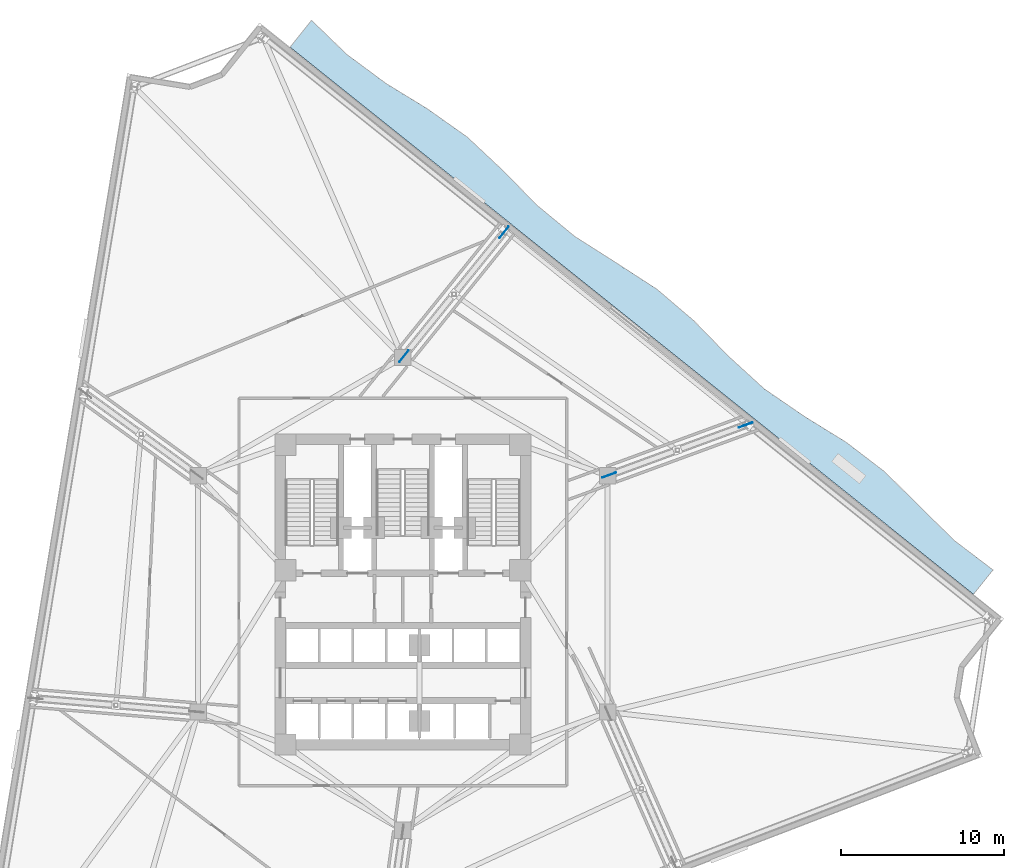
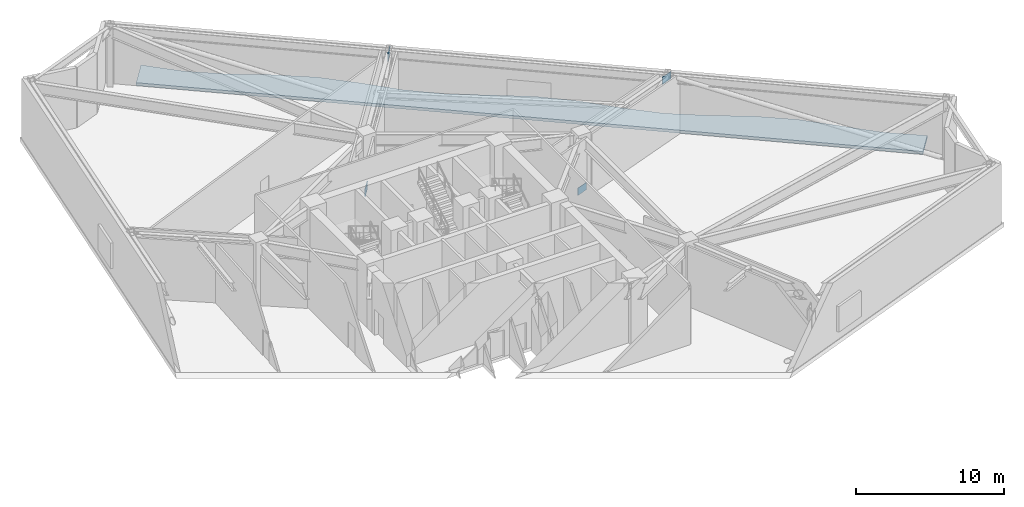
# One storey, part 10 of 18: 4 plates, 1 slab.
"""IFC4 building model written with IfcOpenShell, lengths in metres."""

from ifc_helpers import new_model, si_unit, direction, frame, origin, origin_2d, place, context, subcontext, project, spatial, polyline, rectangle, outline, extrude, material, layer, layer_set, type_object, element, save


model = new_model("IFC4")

# Units and contexts
model_context = context("Model", 3, precision=1e-05, world=origin(), true_north=direction((0.0, 1.0)))
body_context = subcontext(model_context, "Body", "Model", "MODEL_VIEW")
ifc_project = project(units=[si_unit("LENGTHUNIT", "METRE"), si_unit("AREAUNIT", "SQUARE_METRE"), si_unit("VOLUMEUNIT", "CUBIC_METRE"), si_unit("PLANEANGLEUNIT", "RADIAN"), si_unit("MASSUNIT", "GRAM", prefix="KILO")], contexts=[model_context])

# Site, building, storey
site_placement = place(None, origin())
site = spatial("IfcSite", under=ifc_project, at=site_placement, CompositionType="ELEMENT")
building_placement = place(site_placement, origin())
building = spatial("IfcBuilding", under=site, at=building_placement, Name="Apsidion Concourse Tower", CompositionType="ELEMENT")
storey_placement = place(building_placement, frame((0.0, 0.0, 127.0)))
storey = spatial("IfcBuildingStorey", under=building, at=storey_placement, Name="L29", CompositionType="ELEMENT", Elevation=127.0)

# Plates
ifc_material_1 = material(Name="Structural steel ASTM A572 Grade 50", Category="steel")
ifc_layer_1 = layer(ifc_material_1, 0.0400390625)
ifc_layer_set_1 = layer_set([ifc_layer_1], Name="Structural steel ASTM A572 Grade 50")
plate_type = type_object("IfcPlateType", Name="PL-GUSSET-40", PredefinedType="SHEET", material=ifc_layer_set_1)
for number, where, z_axis, x_axis, name in (
    (1, (12.65380859375, 7.284423828125, 0.02001953125), (0.0, 0.0, 1.0), (0.938854103536, 0.344315222252, 0.0), "L29 Outrigger Inner Node Gusset Plate ONA-03"),
    (2, (21.018310546875, 10.352294921875, 4.369873046875), (0.0, 0.0, 1.0), (0.938854103536, 0.344315222252, 0.0), "L29 Outrigger Outer Node Gusset Plate ONB-03"),
    (3, (0.06298828125, 14.577880859375, 0.02001953125), (0.0, 0.0, 1.0), (0.628641963719, 0.777694851116, 0.0), "L29 Outrigger Inner Node Gusset Plate ONA-04"),
    (4, (6.210693359375, 22.184326171875, 4.369873046875), (0.0, 0.0, 1.0), (0.628641963719, 0.777694851116, 0.0), "L29 Outrigger Outer Node Gusset Plate ONB-04"),
):
    element("IfcPlate", number, at=place(storey_placement, frame(where, z_axis=z_axis, x_axis=x_axis)), inside=storey, type_object=plate_type, Name=name, PredefinedType="SHEET", context=body_context, shape_type="SweptSolid", body=[
        extrude(rectangle(XDim=0.89990234375, YDim=0.0400390625, at=origin_2d()), origin(), (0.0, 0.0, 1.0), 0.60009765625),
    ])

# Slab
ifc_material_2 = material(Name="Concrete C50/60", Category="concrete")
ifc_layer_2 = layer(ifc_material_2, 0.239990234375)
ifc_layer_set_2 = layer_set([ifc_layer_2], Name="Concrete C50/60")
slab_type = type_object("IfcSlabType", Name="SL-TERR-240", PredefinedType="ROOF", material=ifc_layer_set_2)
slab_placement = place(storey_placement, frame((0.0, 0.0, -0.239990234375)))
element("IfcSlab", 5, at=slab_placement, inside=storey, type_object=slab_type, Name="L29 Face 3 Spiral Sky-Terrace Slab", PredefinedType="ROOF", context=body_context, shape_type="SweptSolid", body=[
    extrude(outline(polyline([(34.997314453125, -0.025634765625), (32.668701171875, 1.83837890625), (30.33984375, 3.70263671875), (28.01123046875, 5.56689453125), (25.6826171875, 7.430908203125), (23.353759765625, 9.295166015625), (21.025146484375, 11.159423828125), (18.6962890625, 13.023681640625), (16.36767578125, 14.8876953125), (14.0390625, 16.751953125), (11.71044921875, 18.6162109375), (9.381591796875, 20.480224609375), (7.052978515625, 22.344482421875), (4.724365234375, 24.208740234375), (2.3955078125, 26.072998046875), (0.06689453125, 27.93701171875), (-2.26171875, 29.80126953125), (-4.590576171875, 31.665283203125), (-6.919189453125, 33.529541015625), (-5.60107421875, 35.17626953125), (-3.449951171875, 33.090087890625), (-1.05078125, 31.314208984375), (1.510498046875, 29.740478515625), (3.949462890625, 28.013916015625), (6.131591796875, 25.966552734375), (8.235595703125, 23.822021484375), (10.53662109375, 21.923095703125), (13.068115234375, 20.312255859375), (15.58251953125, 18.6796875), (17.8525390625, 16.742431640625), (19.9501953125, 14.589599609375), (22.15771484375, 12.57421875), (24.623291015625, 10.880859375), (27.179443359375, 9.301025390625), (29.54833984375, 7.487060546875), (31.6806640625, 5.37744140625), (33.81640625, 3.2724609375), (36.191650390625, 1.466064453125), (34.997314453125, -0.025634765625)])), origin(), (0.0, 0.0, 1.0), 0.239990234375),
])

save(model, "model.ifc")
